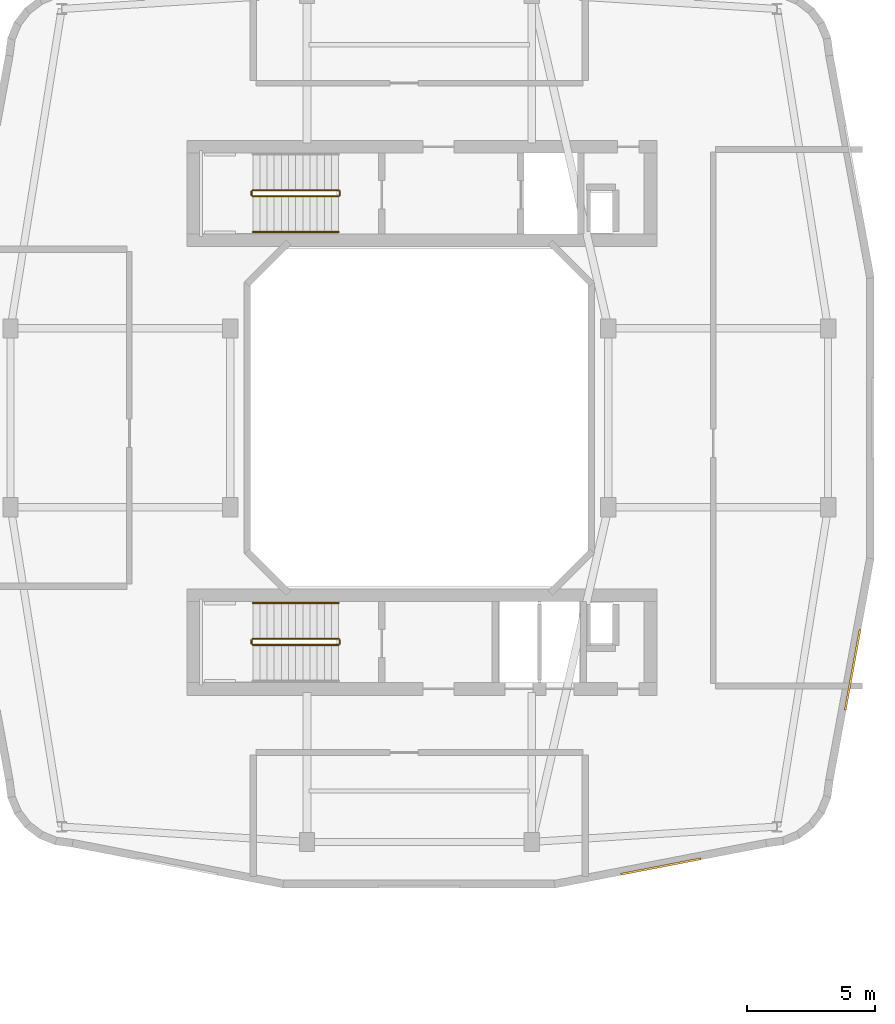
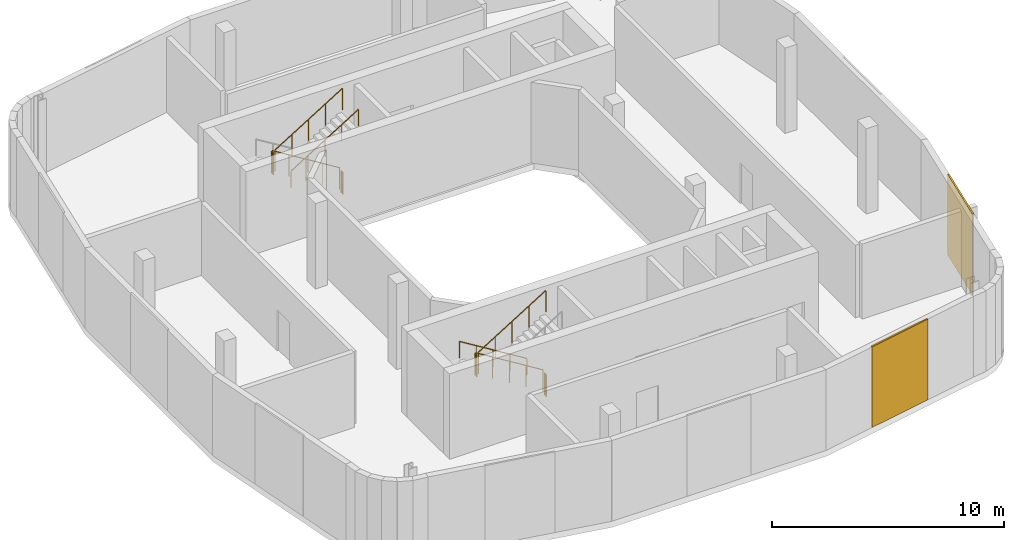
# One storey, part 17 of 18: 10 railings, 2 coverings.
"""IFC4 building model written with IfcOpenShell, lengths in metres."""

from ifc_helpers import new_model, si_unit, derived_unit, direction, frame, origin, origin_2d, place, context, subcontext, project, spatial, rectangle, circle, extrude, material, layer, layer_set, type_object, element, save


model = new_model("IFC4")

# Units and contexts
model_context = context("Model", 3, precision=1e-05, world=origin(), true_north=direction((0.0, 1.0)))
body_context = subcontext(model_context, "Body", "Model", "MODEL_VIEW")
ifc_project = project(units=[si_unit("LENGTHUNIT", "METRE"), si_unit("AREAUNIT", "SQUARE_METRE"), si_unit("VOLUMEUNIT", "CUBIC_METRE"), si_unit("PLANEANGLEUNIT", "RADIAN"), si_unit("MASSUNIT", "GRAM", prefix="KILO"), derived_unit("THERMALTRANSMITTANCEUNIT", [(si_unit("POWERUNIT", "WATT"), 1), (si_unit("LENGTHUNIT", "METRE"), -2), (si_unit("THERMODYNAMICTEMPERATUREUNIT", "KELVIN"), -1)])], contexts=[model_context])

# Site, building, storey
site_placement = place(None, origin())
site = spatial("IfcSite", under=ifc_project, at=site_placement, CompositionType="ELEMENT")
building_placement = place(site_placement, origin())
building = spatial("IfcBuilding", under=site, at=building_placement, Name="Kivonza Crest Hotel", CompositionType="ELEMENT")
storey_placement = place(building_placement, frame((0.0, 0.0, 90.5)))
storey = spatial("IfcBuildingStorey", under=building, at=storey_placement, Name="L24", CompositionType="ELEMENT", Elevation=90.5)

# Coverings
ifc_material_1 = material(Name="Anodised bronze aluminium acoustic louvre cladding", Category="aluminium")
ifc_layer = layer(ifc_material_1, 0.080078125)
ifc_layer_set = layer_set([ifc_layer], Name="Anodised bronze aluminium acoustic louvre cladding")
covering_type = type_object("IfcCoveringType", Name="CV-CLAD-80", PredefinedType="CLADDING", material=ifc_layer_set)
for number, where, z_axis, x_axis, name in (
    (1, (86.4541015625, 7.43798828125, 0.0), (0.0, 0.0, 1.0), (0.981760154029, 0.190123643878, 0.0), "L24 T2 terracotta baguette and louvre screen 9"),
    (2, (93.958984375, 15.137939453125, 0.0), (0.0, 0.0, 1.0), (0.181205763627, 0.983445204995, 0.0), "L24 T2 terracotta baguette and louvre screen 16"),
):
    element("IfcCovering", number, at=place(storey_placement, frame(where, z_axis=z_axis, x_axis=x_axis)), inside=storey, type_object=covering_type, Name=name, PredefinedType="CLADDING", context=body_context, shape_type="SweptSolid", body=[
        extrude(rectangle(XDim=3.199951171875, YDim=0.080078125, at=origin_2d()), origin(), (0.0, 0.0, 1.0), 4.25),
    ])

# Railings
ifc_material_2 = material(Name="Brushed stainless steel handrail", Category="steel")
railing_type_1 = type_object("IfcRailingType", Name="RL-HAND-900", PredefinedType="HANDRAIL", material=ifc_material_2)
railing_1_placement = place(storey_placement, frame((70.47998046875, 32.27001953125, 2.423095703125)))
element("IfcRailing", 3, at=railing_1_placement, inside=storey, type_object=railing_type_1, Name="L24 ST-T2-N stair handrail 2", PredefinedType="HANDRAIL", context=body_context, shape_type="SweptSolid", body=[
    extrude(circle(Radius=0.02392578125, at=origin_2d()), frame((0.0, 0.0, 0.8759765625), z_axis=(0.850623216509, 0.0, 0.525775754039), x_axis=(0.0, 1.0, 0.0)), (0.0, 0.0, 1.0), 3.9501953125),
    extrude(circle(Radius=0.02099609375, at=origin_2d()), origin(), (0.0, 0.0, 1.0), 0.851806640625),
    extrude(circle(Radius=0.02099609375, at=origin_2d()), frame((0.840087890625, 0.0, 0.519287109375)), (0.0, 0.0, 1.0), 0.851806640625),
    extrude(circle(Radius=0.02099609375, at=origin_2d()), frame((1.68017578125, 0.0, 1.03857421875)), (0.0, 0.0, 1.0), 0.851806640625),
    extrude(circle(Radius=0.02099609375, at=origin_2d()), frame((2.52001953125, 0.0, 1.5576171875)), (0.0, 0.0, 1.0), 0.851806640625),
    extrude(circle(Radius=0.02099609375, at=origin_2d()), frame((3.360107421875, 0.0, 2.076904296875)), (0.0, 0.0, 1.0), 0.851806640625),
])
railing_2_placement = place(storey_placement, frame((73.840087890625, 17.75, 0.173095703125)))
element("IfcRailing", 4, at=railing_2_placement, inside=storey, type_object=railing_type_1, Name="L24 ST-T2-S stair handrail 1", PredefinedType="HANDRAIL", context=body_context, shape_type="SweptSolid", body=[
    extrude(circle(Radius=0.02392578125, at=origin_2d()), frame((0.0, 0.0, 0.8759765625), z_axis=(-0.850623216509, 0.0, 0.525775754039), x_axis=(0.0, -1.0, 0.0)), (0.0, 0.0, 1.0), 3.9501953125),
    extrude(circle(Radius=0.02099609375, at=origin_2d()), origin(), (0.0, 0.0, 1.0), 0.851806640625),
    extrude(circle(Radius=0.02099609375, at=origin_2d()), frame((-0.840087890625, 0.0, 0.519287109375)), (0.0, 0.0, 1.0), 0.851806640625),
    extrude(circle(Radius=0.02099609375, at=origin_2d()), frame((-1.68017578125, 0.0, 1.03857421875)), (0.0, 0.0, 1.0), 0.851806640625),
    extrude(circle(Radius=0.02099609375, at=origin_2d()), frame((-2.52001953125, 0.0, 1.5576171875)), (0.0, 0.0, 1.0), 0.851806640625),
    extrude(circle(Radius=0.02099609375, at=origin_2d()), frame((-3.360107421875, 0.0, 2.076904296875)), (0.0, 0.0, 1.0), 0.851806640625),
])
ifc_material_3 = material(Name="Painted steel balustrade", Category="steel")
railing_type_2 = type_object("IfcRailingType", Name="RL-STAIR-1150", PredefinedType="BALUSTRADE", material=ifc_material_3)
railing_3_placement = place(storey_placement, frame((73.840087890625, 33.909912109375, 0.173095703125)))
element("IfcRailing", 5, at=railing_3_placement, inside=storey, type_object=railing_type_2, Name="L24 ST-T2-N stair guard 1", PredefinedType="BALUSTRADE", context=body_context, shape_type="SweptSolid", body=[
    extrude(circle(Radius=0.02392578125, at=origin_2d()), frame((0.0, 0.0, 1.1259765625), z_axis=(-0.850623216509, 0.0, 0.525775754039), x_axis=(0.0, -1.0, 0.0)), (0.0, 0.0, 1.0), 3.9501953125),
    extrude(circle(Radius=0.02099609375, at=origin_2d()), origin(), (0.0, 0.0, 1.0), 1.101806640625),
    extrude(circle(Radius=0.02099609375, at=origin_2d()), frame((-0.840087890625, 0.0, 0.519287109375)), (0.0, 0.0, 1.0), 1.101806640625),
    extrude(circle(Radius=0.02099609375, at=origin_2d()), frame((-1.68017578125, 0.0, 1.03857421875)), (0.0, 0.0, 1.0), 1.101806640625),
    extrude(circle(Radius=0.02099609375, at=origin_2d()), frame((-2.52001953125, 0.0, 1.5576171875)), (0.0, 0.0, 1.0), 1.101806640625),
    extrude(circle(Radius=0.02099609375, at=origin_2d()), frame((-3.360107421875, 0.0, 2.076904296875)), (0.0, 0.0, 1.0), 1.101806640625),
])
railing_4_placement = place(storey_placement, frame((70.429931640625, 33.860107421875, 2.25)))
element("IfcRailing", 6, at=railing_4_placement, inside=storey, type_object=railing_type_2, Name="L24 ST-T2-N stair guard 2", PredefinedType="BALUSTRADE", context=body_context, shape_type="SweptSolid", body=[
    extrude(circle(Radius=0.02392578125, at=origin_2d()), frame((0.0, 0.0, 1.1259765625), z_axis=(0.0, -1.0, 0.0), x_axis=(1.0, 0.0, 0.0)), (0.0, 0.0, 1.0), 0.14013671875),
    extrude(circle(Radius=0.02099609375, at=origin_2d()), origin(), (0.0, 0.0, 1.0), 1.101806640625),
    extrude(circle(Radius=0.02099609375, at=origin_2d()), frame((0.0, -0.14013671875, 0.0)), (0.0, 0.0, 1.0), 1.101806640625),
])
railing_5_placement = place(storey_placement, frame((70.47998046875, 33.669921875, 2.423095703125)))
element("IfcRailing", 7, at=railing_5_placement, inside=storey, type_object=railing_type_2, Name="L24 ST-T2-N stair guard 3", PredefinedType="BALUSTRADE", context=body_context, shape_type="SweptSolid", body=[
    extrude(circle(Radius=0.02392578125, at=origin_2d()), frame((0.0, 0.0, 1.1259765625), z_axis=(0.850623216509, 0.0, 0.525775754039), x_axis=(0.0, 1.0, 0.0)), (0.0, 0.0, 1.0), 3.9501953125),
    extrude(circle(Radius=0.02099609375, at=origin_2d()), origin(), (0.0, 0.0, 1.0), 1.101806640625),
    extrude(circle(Radius=0.02099609375, at=origin_2d()), frame((0.840087890625, 0.0, 0.519287109375)), (0.0, 0.0, 1.0), 1.101806640625),
    extrude(circle(Radius=0.02099609375, at=origin_2d()), frame((1.68017578125, 0.0, 1.03857421875)), (0.0, 0.0, 1.0), 1.101806640625),
    extrude(circle(Radius=0.02099609375, at=origin_2d()), frame((2.52001953125, 0.0, 1.5576171875)), (0.0, 0.0, 1.0), 1.101806640625),
    extrude(circle(Radius=0.02099609375, at=origin_2d()), frame((3.360107421875, 0.0, 2.076904296875)), (0.0, 0.0, 1.0), 1.101806640625),
])
railing_6_placement = place(storey_placement, frame((73.889892578125, 33.860107421875, 0.0)))
element("IfcRailing", 8, at=railing_6_placement, inside=storey, type_object=railing_type_2, Name="L24 ST-T2-N stair guard 4", PredefinedType="BALUSTRADE", context=body_context, shape_type="SweptSolid", body=[
    extrude(circle(Radius=0.02392578125, at=origin_2d()), frame((0.0, 0.0, 1.1259765625), z_axis=(0.0, -1.0, 0.0), x_axis=(1.0, 0.0, 0.0)), (0.0, 0.0, 1.0), 0.14013671875),
    extrude(circle(Radius=0.02099609375, at=origin_2d()), origin(), (0.0, 0.0, 1.0), 1.101806640625),
    extrude(circle(Radius=0.02099609375, at=origin_2d()), frame((0.0, -0.14013671875, 0.0)), (0.0, 0.0, 1.0), 1.101806640625),
])
railing_7_placement = place(storey_placement, frame((73.840087890625, 16.35009765625, 0.173095703125)))
element("IfcRailing", 9, at=railing_7_placement, inside=storey, type_object=railing_type_2, Name="L24 ST-T2-S stair guard 1", PredefinedType="BALUSTRADE", context=body_context, shape_type="SweptSolid", body=[
    extrude(circle(Radius=0.02392578125, at=origin_2d()), frame((0.0, 0.0, 1.1259765625), z_axis=(-0.850623216509, 0.0, 0.525775754039), x_axis=(0.0, -1.0, 0.0)), (0.0, 0.0, 1.0), 3.9501953125),
    extrude(circle(Radius=0.02099609375, at=origin_2d()), origin(), (0.0, 0.0, 1.0), 1.101806640625),
    extrude(circle(Radius=0.02099609375, at=origin_2d()), frame((-0.840087890625, 0.0, 0.519287109375)), (0.0, 0.0, 1.0), 1.101806640625),
    extrude(circle(Radius=0.02099609375, at=origin_2d()), frame((-1.68017578125, 0.0, 1.03857421875)), (0.0, 0.0, 1.0), 1.101806640625),
    extrude(circle(Radius=0.02099609375, at=origin_2d()), frame((-2.52001953125, 0.0, 1.5576171875)), (0.0, 0.0, 1.0), 1.101806640625),
    extrude(circle(Radius=0.02099609375, at=origin_2d()), frame((-3.360107421875, 0.0, 2.076904296875)), (0.0, 0.0, 1.0), 1.101806640625),
])
railing_8_placement = place(storey_placement, frame((70.429931640625, 16.300048828125, 2.25)))
element("IfcRailing", 10, at=railing_8_placement, inside=storey, type_object=railing_type_2, Name="L24 ST-T2-S stair guard 2", PredefinedType="BALUSTRADE", context=body_context, shape_type="SweptSolid", body=[
    extrude(circle(Radius=0.02392578125, at=origin_2d()), frame((0.0, 0.0, 1.1259765625), z_axis=(0.0, -1.0, 0.0), x_axis=(1.0, 0.0, 0.0)), (0.0, 0.0, 1.0), 0.14013671875),
    extrude(circle(Radius=0.02099609375, at=origin_2d()), origin(), (0.0, 0.0, 1.0), 1.101806640625),
    extrude(circle(Radius=0.02099609375, at=origin_2d()), frame((0.0, -0.14013671875, 0.0)), (0.0, 0.0, 1.0), 1.101806640625),
])
railing_9_placement = place(storey_placement, frame((70.47998046875, 16.110107421875, 2.423095703125)))
element("IfcRailing", 11, at=railing_9_placement, inside=storey, type_object=railing_type_2, Name="L24 ST-T2-S stair guard 3", PredefinedType="BALUSTRADE", context=body_context, shape_type="SweptSolid", body=[
    extrude(circle(Radius=0.02392578125, at=origin_2d()), frame((0.0, 0.0, 1.1259765625), z_axis=(0.850623216509, 0.0, 0.525775754039), x_axis=(0.0, 1.0, 0.0)), (0.0, 0.0, 1.0), 3.9501953125),
    extrude(circle(Radius=0.02099609375, at=origin_2d()), origin(), (0.0, 0.0, 1.0), 1.101806640625),
    extrude(circle(Radius=0.02099609375, at=origin_2d()), frame((0.840087890625, 0.0, 0.519287109375)), (0.0, 0.0, 1.0), 1.101806640625),
    extrude(circle(Radius=0.02099609375, at=origin_2d()), frame((1.68017578125, 0.0, 1.03857421875)), (0.0, 0.0, 1.0), 1.101806640625),
    extrude(circle(Radius=0.02099609375, at=origin_2d()), frame((2.52001953125, 0.0, 1.5576171875)), (0.0, 0.0, 1.0), 1.101806640625),
    extrude(circle(Radius=0.02099609375, at=origin_2d()), frame((3.360107421875, 0.0, 2.076904296875)), (0.0, 0.0, 1.0), 1.101806640625),
])
railing_10_placement = place(storey_placement, frame((73.889892578125, 16.300048828125, 0.0)))
element("IfcRailing", 12, at=railing_10_placement, inside=storey, type_object=railing_type_2, Name="L24 ST-T2-S stair guard 4", PredefinedType="BALUSTRADE", context=body_context, shape_type="SweptSolid", body=[
    extrude(circle(Radius=0.02392578125, at=origin_2d()), frame((0.0, 0.0, 1.1259765625), z_axis=(0.0, -1.0, 0.0), x_axis=(1.0, 0.0, 0.0)), (0.0, 0.0, 1.0), 0.14013671875),
    extrude(circle(Radius=0.02099609375, at=origin_2d()), origin(), (0.0, 0.0, 1.0), 1.101806640625),
    extrude(circle(Radius=0.02099609375, at=origin_2d()), frame((0.0, -0.14013671875, 0.0)), (0.0, 0.0, 1.0), 1.101806640625),
])

save(model, "model.ifc")
